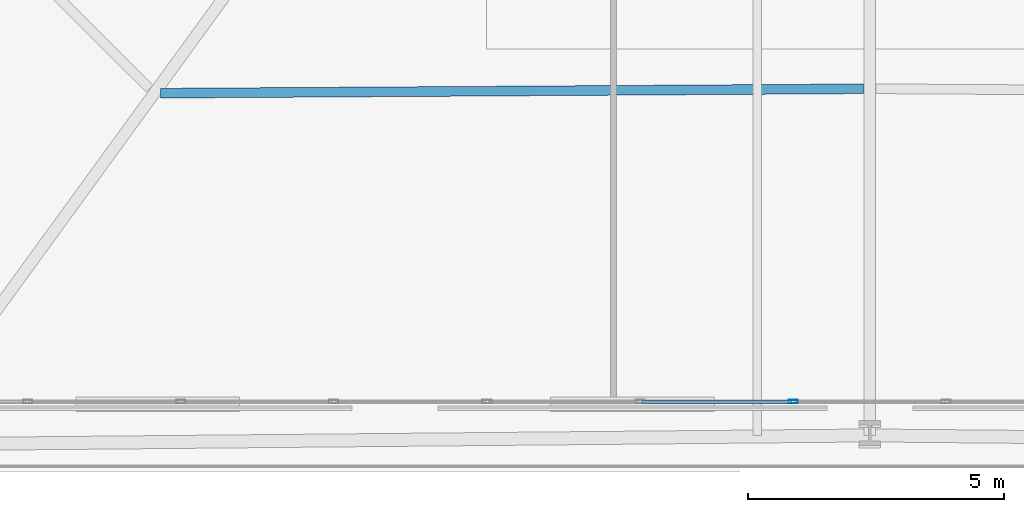
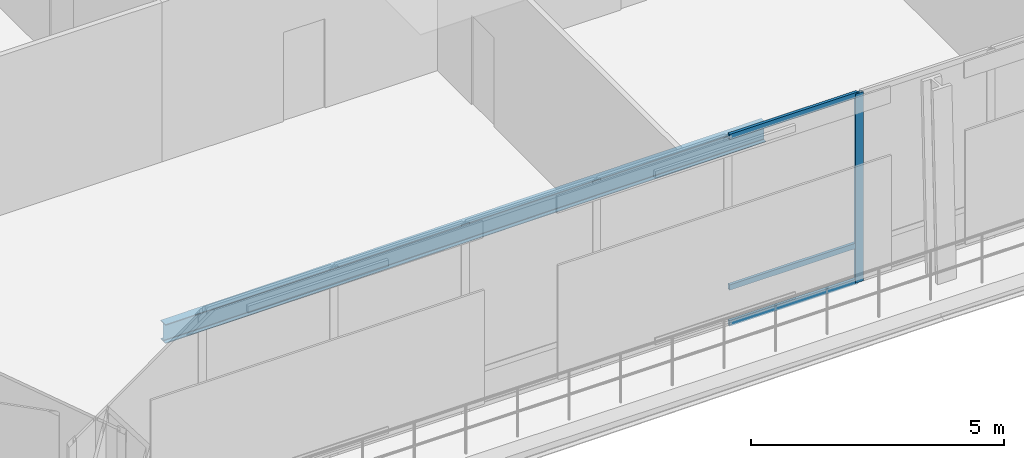
# One storey, part 9 of 48: 4 members, 1 beam, 1 element without a shape of its own.
"""IFC4 building model written with IfcOpenShell, lengths in metres."""

import ifcopenshell
import ifcopenshell.guid

model = None  # the IFC model being written
_history = None  # IfcOwnerHistory: only IFC2X3 demands one
_inside = {}  # id of a spatial element -> (the spatial element, [elements in it])
_under = {}  # id of a project, library or spatial element -> (it, [spatial elements below it])
_declared = {}  # id of a project -> (the project, [libraries it declares])
_typed = {}  # id of a type object -> (the type object, [elements of that type])
_made_of = {}  # id of a material, layer set ... -> (it, [elements and type objects made of it])


def new_model(schema):
    """Start an empty IFC model of exactly this schema.

    Asked for "IFC4X3", IfcOpenShell would pick the latest addendum, in which some entities
    have other attributes; the version numbers below select the first issue.
    IFC2X3 requires an IfcOwnerHistory on every rooted entity: one is made here for all.
    """
    global model, _history
    if schema == "IFC4X3":
        model = ifcopenshell.file(schema_version=(4, 3, 0, 0))
    else:
        model = ifcopenshell.file(schema=schema)
    _inside.clear()
    _under.clear()
    _declared.clear()
    _typed.clear()
    _made_of.clear()
    _history = None
    if model.schema == "IFC2X3":
        org = make("IfcOrganization", Name="unknown")
        user = make(
            "IfcPersonAndOrganization",
            ThePerson=make("IfcPerson", FamilyName="unknown"),
            TheOrganization=org,
        )
        app = make(
            "IfcApplication",
            ApplicationDeveloper=org,
            Version="unknown",
            ApplicationFullName="unknown",
            ApplicationIdentifier="unknown",
        )
        _history = make(
            "IfcOwnerHistory",
            OwningUser=user,
            OwningApplication=app,
            ChangeAction="ADDED",
            CreationDate=0,
        )
    return model


def make(cls, **values):
    """One entity of the class cls with the attributes given. An attribute that is None is left unset."""
    return model.create_entity(
        cls, **{name: value for name, value in values.items() if value is not None}
    )


def rooted(cls, **values):
    """An entity with a GlobalId (a new one), such as an element, a storey or a relation."""
    return make(cls, GlobalId=ifcopenshell.guid.new(), OwnerHistory=_history, **values)


def si_unit(unit_type, name, prefix=None):
    """IfcSIUnit, for example si_unit("LENGTHUNIT", "METRE", prefix="MILLI")."""
    return make("IfcSIUnit", UnitType=unit_type, Prefix=prefix, Name=name)


def assignment(units):
    """IfcUnitAssignment: the units of a project."""
    return None if units is None else make("IfcUnitAssignment", Units=units)


def point(xyz):
    """IfcCartesianPoint."""
    return None if xyz is None else make("IfcCartesianPoint", Coordinates=xyz)


def direction(xyz):
    """IfcDirection."""
    return None if xyz is None else make("IfcDirection", DirectionRatios=xyz)


def frame(location, z_axis=None, x_axis=None):
    """IfcAxis2Placement3D, a coordinate frame: its origin and axes. An axis left out is left unset."""
    return make(
        "IfcAxis2Placement3D",
        Location=point(location),
        Axis=direction(z_axis),
        RefDirection=direction(x_axis),
    )


def frame_2d(location, x_axis=None):
    """IfcAxis2Placement2D, a coordinate frame in the plane: its origin and x axis."""
    return make(
        "IfcAxis2Placement2D", Location=point(location), RefDirection=direction(x_axis)
    )


def origin():
    """The frame at (0, 0, 0) with its axes left unset."""
    return frame((0.0, 0.0, 0.0))


def origin_2d():
    """The frame at (0, 0) in the plane with its x axis left unset."""
    return frame_2d((0.0, 0.0))


def place(relative_to, where):
    """IfcLocalPlacement: puts the frame where relative to a parent placement (None: the world)."""
    return make(
        "IfcLocalPlacement", PlacementRelTo=relative_to, RelativePlacement=where
    )


def context(
    kind, dimensions, precision=None, world=None, true_north=None, identifier=None
):
    """IfcGeometricRepresentationContext, for example the 3D "Model" context."""
    return make(
        "IfcGeometricRepresentationContext",
        ContextIdentifier=identifier,
        ContextType=kind,
        CoordinateSpaceDimension=dimensions,
        Precision=precision,
        WorldCoordinateSystem=world,
        TrueNorth=true_north,
    )


def subcontext(parent, identifier, kind, view, scale=None):
    """IfcGeometricRepresentationSubContext, for example "Body" below "Model"."""
    return make(
        "IfcGeometricRepresentationSubContext",
        ContextIdentifier=identifier,
        ContextType=kind,
        ParentContext=parent,
        TargetScale=scale,
        TargetView=view,
    )


def project(units=None, contexts=None):
    """IfcProject with its units and contexts."""
    return rooted(
        "IfcProject",
        Name="project",
        RepresentationContexts=contexts,
        UnitsInContext=assignment(units),
    )


def spatial(cls, under=None, at=None, **own):
    """A site, building, storey or space (cls), placed at a placement, below another one or the project."""
    s = rooted(cls, ObjectPlacement=at, **own)
    if under is not None:
        _under.setdefault(under.id(), (under, []))[1].append(s)
    return s


def profile(cls, at=None, kind="AREA", **sizes):
    """A parametric profile (cls). Its sizes go by their IFC names, for example OverallWidth=200.0."""
    return make(cls, ProfileType=kind, Position=at, **sizes)


def hollow_rectangle(**sizes):
    """IfcRectangleHollowProfileDef."""
    return profile("IfcRectangleHollowProfileDef", **sizes)


def i_section(**sizes):
    """IfcIShapeProfileDef."""
    return profile("IfcIShapeProfileDef", **sizes)


def extrude(swept, where, along, depth):
    """IfcExtrudedAreaSolid: the profile swept, set in the frame where, extruded along a direction by depth."""
    return make(
        "IfcExtrudedAreaSolid",
        SweptArea=swept,
        Position=where,
        ExtrudedDirection=direction(along),
        Depth=depth,
    )


def shape(context_of_items, identifier, shape_type, items):
    """IfcShapeRepresentation: the items that make up one representation, for example the "Body"."""
    return make(
        "IfcShapeRepresentation",
        ContextOfItems=context_of_items,
        RepresentationIdentifier=identifier,
        RepresentationType=shape_type,
        Items=items,
    )


def material(Name=None, Category=None):
    """IfcMaterial."""
    return make("IfcMaterial", Name=Name, Category=Category)


def layer(
    of_material, thickness, ventilated=None, Name=None, Category=None, Priority=None
):
    """IfcMaterialLayer: one layer of a wall or slab, of a material (None: an air gap)."""
    return make(
        "IfcMaterialLayer",
        Material=of_material,
        LayerThickness=thickness,
        IsVentilated=ventilated,
        Name=Name,
        Category=Category,
        Priority=Priority,
    )


def layer_set(layers, Name=None):
    """IfcMaterialLayerSet."""
    return make("IfcMaterialLayerSet", MaterialLayers=layers, LayerSetName=Name)


def material_profile(
    of_material, cross_section, Name=None, Category=None, Priority=None
):
    """IfcMaterialProfile: a cross section and its material."""
    return make(
        "IfcMaterialProfile",
        Name=Name,
        Material=of_material,
        Profile=cross_section,
        Priority=Priority,
        Category=Category,
    )


def profile_set(profiles, Name=None, composite=None):
    """IfcMaterialProfileSet."""
    return make(
        "IfcMaterialProfileSet",
        Name=Name,
        MaterialProfiles=profiles,
        CompositeProfile=composite,
    )


def made_of(thing, what):
    """Note that an element or type object is made of a material, layer set ...; save() writes the relation."""
    if what is not None:
        _made_of.setdefault(what.id(), (what, []))[1].append(thing)
    return thing


def type_object(cls, material=None, **own):
    """A type object (cls), such as IfcWallType, which elements share."""
    return made_of(rooted(cls, **own), material)


def element(
    cls,
    number,
    at=None,
    inside=None,
    cuts=None,
    type_object=None,
    material=None,
    context=None,
    identifier="Body",
    shape_type=None,
    held_by="IfcProductDefinitionShape",
    body=None,
    shapes=None,
    **own,
):
    """One element of the class cls, such as IfcWall. Its Tag is "e" and its number.

    at: its placement. inside: the storey or other place that contains it. cuts: it is an
    opening in that element (IfcRelVoidsElement). A single representation is given by context,
    identifier, shape_type and body (its items); several are given by shapes. held_by: the class
    of the entity that holds the representations. save() writes the other relations.
    """
    e = rooted(cls, Tag="e%d" % number, ObjectPlacement=at, **own)
    if body is not None:
        shapes = [shape(context, identifier, shape_type, body)]
    if shapes is not None:
        e.Representation = make(held_by, Representations=shapes)
    if inside is not None:
        _inside.setdefault(inside.id(), (inside, []))[1].append(e)
    if cuts is not None:
        rooted(
            "IfcRelVoidsElement", RelatingBuildingElement=cuts, RelatedOpeningElement=e
        )
    if type_object is not None:
        _typed.setdefault(type_object.id(), (type_object, []))[1].append(e)
    return made_of(e, material)


def aggregate(whole, parts):
    """IfcRelAggregates: a whole, such as a stair, and the parts it consists of."""
    return rooted("IfcRelAggregates", RelatingObject=whole, RelatedObjects=parts)


def save(model, path):
    """Write the relations noted so far, then the file.

    IfcRelAggregates (storeys below a building ...), IfcRelContainedInSpatialStructure (elements
    in a storey), IfcRelDefinesByType, IfcRelAssociatesMaterial and IfcRelDeclares: one each for
    every whole, place, type object, material and project.
    """
    for whole, parts in _under.values():
        aggregate(whole, parts)
    for where, things in _inside.values():
        rooted(
            "IfcRelContainedInSpatialStructure",
            RelatedElements=things,
            RelatingStructure=where,
        )
    for kind, things in _typed.values():
        rooted("IfcRelDefinesByType", RelatedObjects=things, RelatingType=kind)
    for what, things in _made_of.values():
        rooted("IfcRelAssociatesMaterial", RelatedObjects=things, RelatingMaterial=what)
    for by, libraries in _declared.values():
        rooted("IfcRelDeclares", RelatingContext=by, RelatedDefinitions=libraries)
    model.write(path)


model = new_model("IFC4")

# Units and contexts
model_context = context("Model", 3, precision=1e-05, world=origin(), true_north=direction((0.0, 1.0)))
body_context = subcontext(model_context, "Body", "Model", "MODEL_VIEW")
ifc_project = project(units=[si_unit("LENGTHUNIT", "METRE"), si_unit("AREAUNIT", "SQUARE_METRE"), si_unit("VOLUMEUNIT", "CUBIC_METRE"), si_unit("PLANEANGLEUNIT", "RADIAN"), si_unit("MASSUNIT", "GRAM", prefix="KILO")], contexts=[model_context])

# Site, building, storey
site_placement = place(None, origin())
site = spatial("IfcSite", under=ifc_project, at=site_placement, CompositionType="ELEMENT")
building_placement = place(site_placement, origin())
building = spatial("IfcBuilding", under=site, at=building_placement, Name="Caelvoria Tower", CompositionType="ELEMENT")
storey_placement = place(building_placement, frame((0.0, 0.0, 90.39990234375)))
storey = spatial("IfcBuildingStorey", under=building, at=storey_placement, Name="L23", CompositionType="ELEMENT", Elevation=90.39990234375)

# Curtain wall, members
ifc_material_1 = material(Name="Anodised Bronze Aluminium and Low-E Glass", Category="aluminium")
ifc_layer = layer(ifc_material_1, 0.2099609375, Name="Anodised Bronze Aluminium and Low-E Glass")
ifc_layer_set = layer_set([ifc_layer], Name="CW System 3 Sky Lobby Double-Height Acoustic Facade - Anodised Bronze Aluminium and Low-E Glass")
curtain_wall_type = type_object("IfcCurtainWallType", Name="CW System 3 Sky Lobby Double-Height Acoustic Facade", PredefinedType="NOTDEFINED", material=ifc_layer_set)
curtain_wall_placement = place(storey_placement, origin())
curtain_wall = element("IfcCurtainWall", 1, at=curtain_wall_placement, inside=storey, type_object=curtain_wall_type, Name="CW-03 Curtain Wall L23-E0", PredefinedType="NOTDEFINED")
ifc_material_2 = material(Name="Anodised Bronze Architectural Aluminium", Category="aluminium")
ifc_material_profile_1 = material_profile(ifc_material_2, hollow_rectangle(XDim=0.070068359375, YDim=0.179931640625, WallThickness=0.00390625, at=origin_2d()), Name="Anodised Bronze Architectural Aluminium")
ifc_profile_set_1 = profile_set([ifc_material_profile_1], Name="CW_MULL_70X180 - Anodised Bronze Architectural Aluminium")
member_type_1 = type_object("IfcMemberType", Name="Curtain Wall Mullion 70x180 Bronze Aluminium", PredefinedType="MULLION", material=ifc_profile_set_1)
member_1_placement = place(storey_placement, frame((44.50244140625, 11.0966796875, 0.0), z_axis=(0.0, 0.0, 1.0), x_axis=(0.0, 1.0, 0.0)))
member_1 = element("IfcMember", 2, at=member_1_placement, type_object=member_type_1, Name="CW-03 mullion 7", PredefinedType="MULLION", context=body_context, shape_type="SweptSolid", body=[
    extrude(hollow_rectangle(XDim=0.070068359375, YDim=0.179931640625, WallThickness=0.00390625, at=origin_2d()), origin(), (0.0, 0.0, 1.0), 4.56005859375),
])
ifc_material_profile_2 = material_profile(ifc_material_2, hollow_rectangle(XDim=0.06494140625, YDim=0.1298828125, WallThickness=0.00341796875, at=origin_2d()), Name="Anodised Bronze Architectural Aluminium")
ifc_profile_set_2 = profile_set([ifc_material_profile_2], Name="CW_TRAN_65X130 - Anodised Bronze Architectural Aluminium")
member_type_2 = type_object("IfcMemberType", Name="Curtain Wall Transom 65x130 Bronze Aluminium", PredefinedType="USERDEFINED", material=ifc_profile_set_2)
member_2_placement = place(storey_placement, frame((41.542724609375, 11.0966796875, 0.03271484375), z_axis=(1.0, 0.0, 0.0), x_axis=(0.0, 1.0, 0.0)))
member_2 = element("IfcMember", 3, at=member_2_placement, type_object=member_type_2, Name="CW-03 transom 6.1", ObjectType="TRANSOM", PredefinedType="USERDEFINED", context=body_context, shape_type="SweptSolid", body=[
    extrude(hollow_rectangle(XDim=0.06494140625, YDim=0.1298828125, WallThickness=0.00341796875, at=origin_2d()), origin(), (0.0, 0.0, 1.0), 2.9248046875),
])
member_3_placement = place(storey_placement, frame((41.542724609375, 11.0966796875, 0.900146484375), z_axis=(1.0, 0.0, 0.0), x_axis=(0.0, 1.0, 0.0)))
member_3 = element("IfcMember", 4, at=member_3_placement, type_object=member_type_2, Name="CW-03 transom 6.2", ObjectType="TRANSOM", PredefinedType="USERDEFINED", context=body_context, shape_type="SweptSolid", body=[
    extrude(hollow_rectangle(XDim=0.06494140625, YDim=0.1298828125, WallThickness=0.00341796875, at=origin_2d()), origin(), (0.0, 0.0, 1.0), 2.9248046875),
])
member_4_placement = place(storey_placement, frame((41.542724609375, 11.0966796875, 4.527587890625), z_axis=(1.0, 0.0, 0.0), x_axis=(0.0, 1.0, 0.0)))
member_4 = element("IfcMember", 5, at=member_4_placement, type_object=member_type_2, Name="CW-03 transom 6.3", ObjectType="TRANSOM", PredefinedType="USERDEFINED", context=body_context, shape_type="SweptSolid", body=[
    extrude(hollow_rectangle(XDim=0.06494140625, YDim=0.1298828125, WallThickness=0.00341796875, at=origin_2d()), origin(), (0.0, 0.0, 1.0), 2.9248046875),
])
aggregate(curtain_wall, [member_1, member_2, member_3, member_4])

# Beam
ifc_material_3 = material(Name="Structural Steel ASTM A992 Gr.50", Category="steel")
ifc_material_profile_3 = material_profile(ifc_material_3, i_section(OverallWidth=0.18994140625, OverallDepth=0.45703125, WebThickness=0.009033203125, FlangeThickness=0.014404296875, FilletRadius=0.014892578125, at=origin_2d()), Name="Structural Steel ASTM A992 Gr.50")
ifc_profile_set_3 = profile_set([ifc_material_profile_3], Name="W460X74 - Structural Steel ASTM A992 Gr.50")
beam_type = type_object("IfcBeamType", Name="Secondary Floor Beam W460X74", PredefinedType="BEAM", material=ifc_profile_set_3)
beam_placement = place(storey_placement, frame((32.12841796875, 17.130126953125, -0.54833984375), z_axis=(0.999979787802, 0.006357986077, 0.0), x_axis=(-0.006357986077, 0.999979787802, 0.0)))
element("IfcBeam", 6, at=beam_placement, inside=storey, type_object=beam_type, Name="Secondary Floor Beam L23-00", PredefinedType="BEAM", context=body_context, shape_type="SweptSolid", body=[
    extrude(i_section(OverallWidth=0.18994140625, OverallDepth=0.45703125, WebThickness=0.009033203125, FlangeThickness=0.014404296875, FilletRadius=0.014892578125, at=origin_2d()), origin(), (0.0, 0.0, 1.0), 13.746826171875),
])

save(model, "model.ifc")
